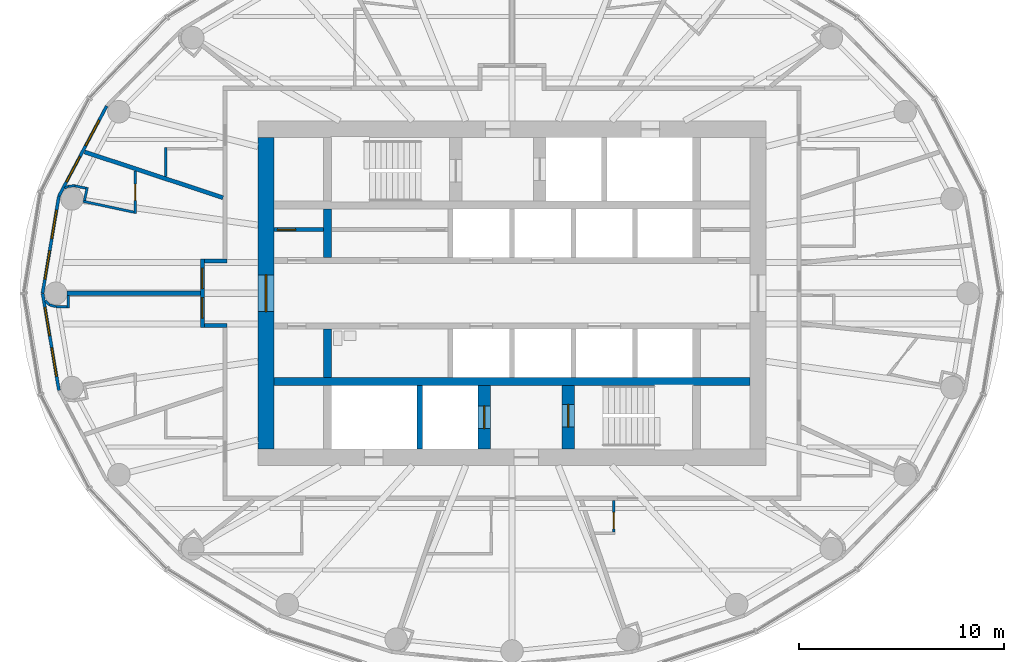
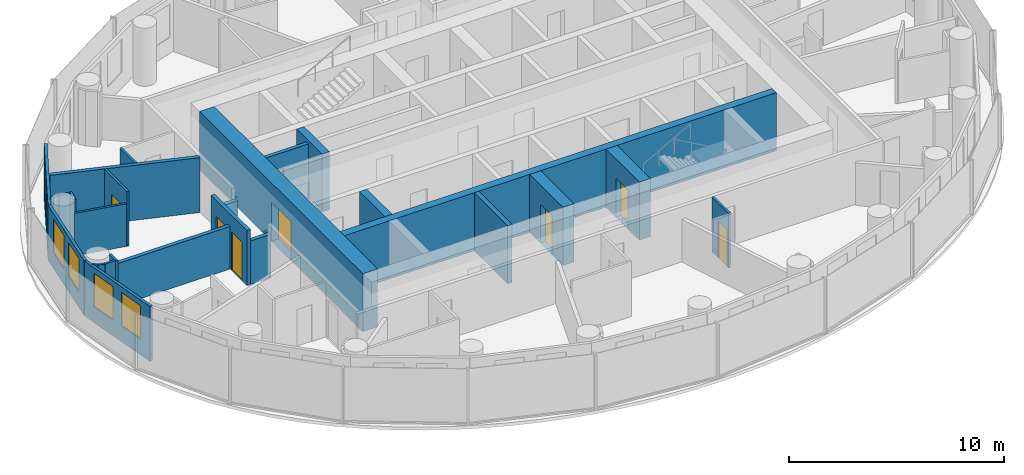
# One storey, part 8 of 16: 28 walls, 8 doors, 6 windows, 14 openings.
"""IFC4 building model written with IfcOpenShell, lengths in metres."""

from ifc_helpers import new_model, si_unit, direction, frame, frame_2d, origin, place, context, subcontext, project, spatial, rectangle, extrude, material, layer, layer_set, type_object, element, fill, save


model = new_model("IFC4")

# Units and contexts
model_context = context("Model", 3, precision=1e-05, world=origin(), true_north=direction((0.0, 1.0)))
body_context = subcontext(model_context, "Body", "Model", "MODEL_VIEW")
ifc_project = project(units=[si_unit("LENGTHUNIT", "METRE"), si_unit("AREAUNIT", "SQUARE_METRE"), si_unit("VOLUMEUNIT", "CUBIC_METRE"), si_unit("PLANEANGLEUNIT", "RADIAN"), si_unit("MASSUNIT", "GRAM", prefix="KILO")], contexts=[model_context])

# Site, building, storey
site_placement = place(None, origin())
site = spatial("IfcSite", under=ifc_project, at=site_placement, CompositionType="ELEMENT")
building_placement = place(site_placement, origin())
building = spatial("IfcBuilding", under=site, at=building_placement, Name="Hankou Lantern Tower", CompositionType="ELEMENT")
storey_placement = place(building_placement, frame((0.0, 0.0, 166.5)))
storey = spatial("IfcBuildingStorey", under=building, at=storey_placement, Name="L44", CompositionType="ELEMENT", Elevation=166.5)

# Wall, opening, door
ifc_material_1 = material(Name="Concrete C60", Category="concrete")
ifc_layer_1 = layer(ifc_material_1, 0.800048828125)
ifc_layer_set_1 = layer_set([ifc_layer_1], Name="Concrete C60")
wall_type_1 = type_object("IfcWallType", Name="CW2 CORE WALL 800", PredefinedType="SHEAR", material=ifc_layer_set_1)
wall_1_placement = place(storey_placement, frame((-12.0, 7.60009765625, 0.0), z_axis=(0.0, 0.0, 1.0), x_axis=(0.0, -1.0, 0.0)))
wall_1 = element("IfcWall", 1, at=wall_1_placement, inside=storey, type_object=wall_type_1, Name="Core wall west L44", PredefinedType="SHEAR", context=body_context, shape_type="SweptSolid", body=[
    extrude(rectangle(XDim=15.2001953125, YDim=0.800048828125, at=frame_2d((7.60009765625, 0.0))), origin(), (0.0, 0.0, 1.0), 3.300048828125),
])
opening_1_placement = place(wall_1_placement, frame((6.699951171875, 0.0, 0.0)))
opening_1 = element("IfcOpeningElement", 2, at=opening_1_placement, cuts=wall_1, Name="Opening D6", PredefinedType="OPENING", context=body_context, shape_type="SweptSolid", body=[
    extrude(rectangle(XDim=1.800048828125, YDim=2.199951171875, at=frame_2d((0.89990234375, 1.10009765625))), frame((0.0, 0.409912109375, 0.0), z_axis=(0.0, -1.0, 0.0), x_axis=(1.0, 0.0, 0.0)), (0.0, 0.0, 1.0), 0.820068359375),
])
ifc_material_2 = material(Name="Steel door leaf", Category="steel")
door_type_1 = type_object("IfcDoorType", Name="D6 LIFT LOBBY DOOR 1800X2200", OperationType="DOUBLE_DOOR_DOUBLE_SWING", PredefinedType="DOOR", material=ifc_material_2)
door_1_placement = place(opening_1_placement, origin())
door_1 = element("IfcDoor", 3, at=door_1_placement, inside=storey, type_object=door_type_1, Name="Lift lobby west door", OperationType="DOUBLE_DOOR_DOUBLE_SWING", OverallHeight=2.199951171875, OverallWidth=1.800048828125, PredefinedType="DOOR", context=body_context, shape_type="SweptSolid", body=[
    extrude(rectangle(XDim=1.800048828125, YDim=2.199951171875, at=frame_2d((0.89990234375, 1.10009765625))), frame((0.0, 0.02490234375, 0.0), z_axis=(0.0, -1.0, 0.0), x_axis=(1.0, 0.0, 0.0)), (0.0, 0.0, 1.0), 0.050048828125),
])
fill(opening_1, door_1)

# Walls
ifc_material_3 = material(Name="Concrete C60", Category="concrete")
ifc_layer_2 = layer(ifc_material_3, 0.39990234375)
ifc_layer_set_2 = layer_set([ifc_layer_2], Name="Concrete C60")
wall_type_2 = type_object("IfcWallType", Name="CW4 CORE CROSS WALL 400", PredefinedType="SHEAR", material=ifc_layer_set_2)
wall_2_placement = place(storey_placement, frame((-11.60009765625, -4.300048828125, 0.0), z_axis=(0.0, 0.0, 1.0), x_axis=(1.0, 0.0, 0.0)))
element("IfcWall", 4, at=wall_2_placement, inside=storey, type_object=wall_type_2, Name="Core band wall south L44", PredefinedType="SHEAR", context=body_context, shape_type="SweptSolid", body=[
    extrude(rectangle(XDim=23.2001953125, YDim=0.39990234375, at=frame_2d((11.60009765625, 0.0))), origin(), (0.0, 0.0, 1.0), 3.300048828125),
])
for number, where, z_axis, x_axis, name in (
    (5, (-9.0, 1.75, 0.0), (0.0, 0.0, 1.0), (0.0, 1.0, 0.0), "Core strip wall L44"),
    (6, (-9.0, -4.10009765625, 0.0), (0.0, 0.0, 1.0), (0.0, 1.0, 0.0), "Core strip wall L44"),
):
    element("IfcWall", number, at=place(storey_placement, frame(where, z_axis=z_axis, x_axis=x_axis)), inside=storey, type_object=wall_type_2, Name=name, PredefinedType="SHEAR", context=body_context, shape_type="SweptSolid", body=[
        extrude(rectangle(XDim=2.35009765625, YDim=0.39990234375, at=frame_2d((1.175048828125, 0.0))), origin(), (0.0, 0.0, 1.0), 3.300048828125),
    ])

# Wall, opening, door
ifc_material_4 = material(Name="Concrete C60", Category="concrete")
ifc_layer_3 = layer(ifc_material_4, 0.60009765625)
ifc_layer_set_3 = layer_set([ifc_layer_3], Name="Concrete C60")
wall_type_3 = type_object("IfcWallType", Name="CW6 STAIR AND SHAFT WALL 600", PredefinedType="SHEAR", material=ifc_layer_set_3)
wall_3_placement = place(storey_placement, frame((2.75, -7.60009765625, 0.0), z_axis=(0.0, 0.0, 1.0), x_axis=(0.0, 1.0, 0.0)))
wall_3 = element("IfcWall", 7, at=wall_3_placement, inside=storey, type_object=wall_type_3, Name="Stair wall L44", PredefinedType="SHEAR", context=body_context, shape_type="SweptSolid", body=[
    extrude(rectangle(XDim=3.10009765625, YDim=0.60009765625, at=frame_2d((1.550048828125, 0.0))), origin(), (0.0, 0.0, 1.0), 3.300048828125),
])
opening_2_placement = place(wall_3_placement, frame((1.074951171875, 0.0, 0.0)))
opening_2 = element("IfcOpeningElement", 8, at=opening_2_placement, cuts=wall_3, Name="Opening D4", PredefinedType="OPENING", context=body_context, shape_type="SweptSolid", body=[
    extrude(rectangle(XDim=1.10009765625, YDim=2.199951171875, at=frame_2d((0.550048828125, 1.10009765625))), frame((0.0, 0.31005859375, 0.0), z_axis=(0.0, -1.0, 0.0), x_axis=(1.0, 0.0, 0.0)), (0.0, 0.0, 1.0), 0.6201171875),
])
ifc_material_5 = material(Name="Steel door leaf", Category="steel")
door_type_2 = type_object("IfcDoorType", Name="D4 STAIR DOOR 1100X2200", OperationType="SINGLE_SWING_LEFT", PredefinedType="DOOR", material=ifc_material_5)
door_2_placement = place(opening_2_placement, origin())
door_2 = element("IfcDoor", 9, at=door_2_placement, inside=storey, type_object=door_type_2, Name="Stair B door", OperationType="SINGLE_SWING_RIGHT", OverallHeight=2.199951171875, OverallWidth=1.10009765625, PredefinedType="DOOR", context=body_context, shape_type="SweptSolid", body=[
    extrude(rectangle(XDim=1.10009765625, YDim=2.199951171875, at=frame_2d((0.550048828125, 1.10009765625))), frame((0.0, 0.02490234375, 0.0), z_axis=(0.0, -1.0, 0.0), x_axis=(1.0, 0.0, 0.0)), (0.0, 0.0, 1.0), 0.050048828125),
])
fill(opening_2, door_2)

wall_4_placement = place(storey_placement, frame((-1.35009765625, -7.60009765625, 0.0), z_axis=(0.0, 0.0, 1.0), x_axis=(0.0, 1.0, 0.0)))
wall_4 = element("IfcWall", 10, at=wall_4_placement, inside=storey, type_object=wall_type_3, Name="Firefighting lift shaft wall L44", PredefinedType="SHEAR", context=body_context, shape_type="SweptSolid", body=[
    extrude(rectangle(XDim=3.10009765625, YDim=0.60009765625, at=frame_2d((1.550048828125, 0.0))), origin(), (0.0, 0.0, 1.0), 3.300048828125),
])
opening_3_placement = place(wall_4_placement, frame((1.0, 0.0, 0.0)))
opening_3 = element("IfcOpeningElement", 11, at=opening_3_placement, cuts=wall_4, Name="Opening LD2", PredefinedType="OPENING", context=body_context, shape_type="SweptSolid", body=[
    extrude(rectangle(XDim=1.10009765625, YDim=2.199951171875, at=frame_2d((0.550048828125, 1.10009765625))), frame((0.0, 0.31005859375, 0.0), z_axis=(0.0, -1.0, 0.0), x_axis=(1.0, 0.0, 0.0)), (0.0, 0.0, 1.0), 0.6201171875),
])
ifc_material_6 = material(Name="Steel door leaf", Category="steel")
door_type_3 = type_object("IfcDoorType", Name="LD2 FIREFIGHTING LIFT LANDING DOOR 1100X2200", OperationType="DOUBLE_DOOR_SLIDING", PredefinedType="DOOR", material=ifc_material_6)
door_3_placement = place(opening_3_placement, origin())
door_3 = element("IfcDoor", 12, at=door_3_placement, inside=storey, type_object=door_type_3, Name="Firefighting lift FL2 landing door", OperationType="DOUBLE_DOOR_SLIDING", OverallHeight=2.199951171875, OverallWidth=1.10009765625, PredefinedType="DOOR", context=body_context, shape_type="SweptSolid", body=[
    extrude(rectangle(XDim=1.10009765625, YDim=2.199951171875, at=frame_2d((0.550048828125, 1.10009765625))), frame((0.0, 0.02490234375, 0.0), z_axis=(0.0, -1.0, 0.0), x_axis=(1.0, 0.0, 0.0)), (0.0, 0.0, 1.0), 0.050048828125),
])
fill(opening_3, door_3)

# Wall, openings, windows
ifc_material_7 = material(Name="Aluminium spandrel panel on steel studs", Category="steel")
ifc_layer_4 = layer(ifc_material_7, 0.14990234375)
ifc_layer_set_4 = layer_set([ifc_layer_4], Name="Aluminium spandrel panel on steel studs")
wall_type_4 = type_object("IfcWallType", Name="EW1 INNER SKIN WALL 150", PredefinedType="ELEMENTEDWALL", material=ifc_layer_set_4)
wall_5_placement = place(storey_placement, frame((-19.771728515625, 9.132080078125, 0.0), z_axis=(0.0, 0.0, 1.0), x_axis=(-0.468428906714, -0.883501193748, 0.0)))
wall_5 = element("IfcWall", 13, at=wall_5_placement, inside=storey, type_object=wall_type_4, Name="Inner skin R11-R12 L44", PredefinedType="ELEMENTEDWALL", context=body_context, shape_type="SweptSolid", body=[
    extrude(rectangle(XDim=4.9736328125, YDim=0.14990234375, at=frame_2d((2.48681640625, 0.0))), origin(), (0.0, 0.0, 1.0), 3.1201171875),
])
opening_4_placement = place(wall_5_placement, frame((0.786865234375, 0.0, 0.89990234375)))
opening_4 = element("IfcOpeningElement", 14, at=opening_4_placement, cuts=wall_5, Name="Opening W3", PredefinedType="OPENING", context=body_context, shape_type="SweptSolid", body=[
    extrude(rectangle(XDim=1.39990234375, YDim=1.89990234375, at=frame_2d((0.699951171875, 0.949951171875))), frame((0.0, 0.0849609375, 0.0), z_axis=(0.0, -1.0, 0.0), x_axis=(1.0, 0.0, 0.0)), (0.0, 0.0, 1.0), 0.169921875),
])
opening_5_placement = place(wall_5_placement, frame((2.786865234375, 0.0, 0.89990234375)))
opening_5 = element("IfcOpeningElement", 15, at=opening_5_placement, cuts=wall_5, Name="Opening W3", PredefinedType="OPENING", context=body_context, shape_type="SweptSolid", body=[
    extrude(rectangle(XDim=1.39990234375, YDim=1.89990234375, at=frame_2d((0.699951171875, 0.949951171875))), frame((0.0, 0.0849609375, 0.0), z_axis=(0.0, -1.0, 0.0), x_axis=(1.0, 0.0, 0.0)), (0.0, 0.0, 1.0), 0.169921875),
])
ifc_material_8 = material(Name="Aluminium framed double glazed window", Category="aluminium")
window_type = type_object("IfcWindowType", Name="W3 GUEST ROOM WINDOW 1400X1900", PartitioningType="DOUBLE_PANEL_VERTICAL", PredefinedType="WINDOW", material=ifc_material_8)
window_1_placement = place(opening_4_placement, origin())
window_1 = element("IfcWindow", 16, at=window_1_placement, inside=storey, type_object=window_type, Name="Window R11.1 L44", OverallHeight=1.89990234375, OverallWidth=1.39990234375, PartitioningType="SINGLE_PANEL", PredefinedType="WINDOW", context=body_context, shape_type="SweptSolid", body=[
    extrude(rectangle(XDim=1.39990234375, YDim=1.89990234375, at=frame_2d((0.699951171875, 0.949951171875))), frame((0.0, 0.030029296875, 0.0), z_axis=(0.0, -1.0, 0.0), x_axis=(1.0, 0.0, 0.0)), (0.0, 0.0, 1.0), 0.06005859375),
])
fill(opening_4, window_1)
window_2_placement = place(opening_5_placement, origin())
window_2 = element("IfcWindow", 17, at=window_2_placement, inside=storey, type_object=window_type, Name="Window R11.2 L44", OverallHeight=1.89990234375, OverallWidth=1.39990234375, PartitioningType="SINGLE_PANEL", PredefinedType="WINDOW", context=body_context, shape_type="SweptSolid", body=[
    extrude(rectangle(XDim=1.39990234375, YDim=1.89990234375, at=frame_2d((0.699951171875, 0.949951171875))), frame((0.0, 0.030029296875, 0.0), z_axis=(0.0, -1.0, 0.0), x_axis=(1.0, 0.0, 0.0)), (0.0, 0.0, 1.0), 0.06005859375),
])
fill(opening_5, window_2)

wall_6_placement = place(storey_placement, frame((-22.1015625, 4.73779296875, 0.0), z_axis=(0.0, 0.0, 1.0), x_axis=(-0.166162111254, -0.986098449843, 0.0)))
wall_6 = element("IfcWall", 18, at=wall_6_placement, inside=storey, type_object=wall_type_4, Name="Inner skin R12-R13 L44", PredefinedType="ELEMENTEDWALL", context=body_context, shape_type="SweptSolid", body=[
    extrude(rectangle(XDim=4.8046875, YDim=0.14990234375, at=frame_2d((2.40234375, 0.0))), origin(), (0.0, 0.0, 1.0), 3.1201171875),
])
opening_6_placement = place(wall_6_placement, frame((0.7021484375, 0.0, 0.89990234375)))
opening_6 = element("IfcOpeningElement", 19, at=opening_6_placement, cuts=wall_6, Name="Opening W3", PredefinedType="OPENING", context=body_context, shape_type="SweptSolid", body=[
    extrude(rectangle(XDim=1.39990234375, YDim=1.89990234375, at=frame_2d((0.699951171875, 0.949951171875))), frame((0.0, 0.0849609375, 0.0), z_axis=(0.0, -1.0, 0.0), x_axis=(1.0, 0.0, 0.0)), (0.0, 0.0, 1.0), 0.169921875),
])
opening_7_placement = place(wall_6_placement, frame((2.7021484375, 0.0, 0.89990234375)))
opening_7 = element("IfcOpeningElement", 20, at=opening_7_placement, cuts=wall_6, Name="Opening W3", PredefinedType="OPENING", context=body_context, shape_type="SweptSolid", body=[
    extrude(rectangle(XDim=1.39990234375, YDim=1.89990234375, at=frame_2d((0.699951171875, 0.949951171875))), frame((0.0, 0.0849609375, 0.0), z_axis=(0.0, -1.0, 0.0), x_axis=(1.0, 0.0, 0.0)), (0.0, 0.0, 1.0), 0.169921875),
])
window_3_placement = place(opening_6_placement, origin())
window_3 = element("IfcWindow", 21, at=window_3_placement, inside=storey, type_object=window_type, Name="Window R12.1 L44", OverallHeight=1.89990234375, OverallWidth=1.39990234375, PartitioningType="SINGLE_PANEL", PredefinedType="WINDOW", context=body_context, shape_type="SweptSolid", body=[
    extrude(rectangle(XDim=1.39990234375, YDim=1.89990234375, at=frame_2d((0.699951171875, 0.949951171875))), frame((0.0, 0.030029296875, 0.0), z_axis=(0.0, -1.0, 0.0), x_axis=(1.0, 0.0, 0.0)), (0.0, 0.0, 1.0), 0.06005859375),
])
fill(opening_6, window_3)
window_4_placement = place(opening_7_placement, origin())
window_4 = element("IfcWindow", 22, at=window_4_placement, inside=storey, type_object=window_type, Name="Window R12.2 L44", OverallHeight=1.89990234375, OverallWidth=1.39990234375, PartitioningType="SINGLE_PANEL", PredefinedType="WINDOW", context=body_context, shape_type="SweptSolid", body=[
    extrude(rectangle(XDim=1.39990234375, YDim=1.89990234375, at=frame_2d((0.699951171875, 0.949951171875))), frame((0.0, 0.030029296875, 0.0), z_axis=(0.0, -1.0, 0.0), x_axis=(1.0, 0.0, 0.0)), (0.0, 0.0, 1.0), 0.06005859375),
])
fill(opening_7, window_4)

wall_7_placement = place(storey_placement, frame((-22.89990234375, 0.0, 0.0), z_axis=(0.0, 0.0, 1.0), x_axis=(0.166162111254, -0.986098449843, 0.0)))
wall_7 = element("IfcWall", 23, at=wall_7_placement, inside=storey, type_object=wall_type_4, Name="Inner skin R13-R14 L44", PredefinedType="ELEMENTEDWALL", context=body_context, shape_type="SweptSolid", body=[
    extrude(rectangle(XDim=4.8046875, YDim=0.14990234375, at=frame_2d((2.40234375, 0.0))), origin(), (0.0, 0.0, 1.0), 3.1201171875),
])
opening_8_placement = place(wall_7_placement, frame((0.7021484375, 0.0, 0.89990234375)))
opening_8 = element("IfcOpeningElement", 24, at=opening_8_placement, cuts=wall_7, Name="Opening W3", PredefinedType="OPENING", context=body_context, shape_type="SweptSolid", body=[
    extrude(rectangle(XDim=1.39990234375, YDim=1.89990234375, at=frame_2d((0.699951171875, 0.949951171875))), frame((0.0, 0.0849609375, 0.0), z_axis=(0.0, -1.0, 0.0), x_axis=(1.0, 0.0, 0.0)), (0.0, 0.0, 1.0), 0.169921875),
])
opening_9_placement = place(wall_7_placement, frame((2.7021484375, 0.0, 0.89990234375)))
opening_9 = element("IfcOpeningElement", 25, at=opening_9_placement, cuts=wall_7, Name="Opening W3", PredefinedType="OPENING", context=body_context, shape_type="SweptSolid", body=[
    extrude(rectangle(XDim=1.39990234375, YDim=1.89990234375, at=frame_2d((0.699951171875, 0.949951171875))), frame((0.0, 0.0849609375, 0.0), z_axis=(0.0, -1.0, 0.0), x_axis=(1.0, 0.0, 0.0)), (0.0, 0.0, 1.0), 0.169921875),
])
window_5_placement = place(opening_8_placement, origin())
window_5 = element("IfcWindow", 26, at=window_5_placement, inside=storey, type_object=window_type, Name="Window R13.1 L44", OverallHeight=1.89990234375, OverallWidth=1.39990234375, PartitioningType="SINGLE_PANEL", PredefinedType="WINDOW", context=body_context, shape_type="SweptSolid", body=[
    extrude(rectangle(XDim=1.39990234375, YDim=1.89990234375, at=frame_2d((0.699951171875, 0.949951171875))), frame((0.0, 0.030029296875, 0.0), z_axis=(0.0, -1.0, 0.0), x_axis=(1.0, 0.0, 0.0)), (0.0, 0.0, 1.0), 0.06005859375),
])
fill(opening_8, window_5)
window_6_placement = place(opening_9_placement, origin())
window_6 = element("IfcWindow", 27, at=window_6_placement, inside=storey, type_object=window_type, Name="Window R13.2 L44", OverallHeight=1.89990234375, OverallWidth=1.39990234375, PartitioningType="SINGLE_PANEL", PredefinedType="WINDOW", context=body_context, shape_type="SweptSolid", body=[
    extrude(rectangle(XDim=1.39990234375, YDim=1.89990234375, at=frame_2d((0.699951171875, 0.949951171875))), frame((0.0, 0.030029296875, 0.0), z_axis=(0.0, -1.0, 0.0), x_axis=(1.0, 0.0, 0.0)), (0.0, 0.0, 1.0), 0.06005859375),
])
fill(opening_9, window_6)

# Walls
ifc_material_9 = material(Name="Masonry lightweight concrete block", Category="masonry")
ifc_layer_5 = layer(ifc_material_9, 0.199951171875)
ifc_layer_set_5 = layer_set([ifc_layer_5], Name="Masonry lightweight concrete block")
wall_type_5 = type_object("IfcWallType", Name="IW1 GUEST ROOM PARTY WALL 200", PredefinedType="PARTITIONING", material=ifc_layer_set_5)
wall_8_placement = place(storey_placement, frame((-14.10009765625, 4.661376953125, 0.0), z_axis=(0.0, 0.0, 1.0), x_axis=(-0.949453216399, 0.313908569285, 0.0)))
element("IfcWall", 28, at=wall_8_placement, inside=storey, type_object=wall_type_5, Name="Party wall R11-R12", PredefinedType="PARTITIONING", context=body_context, shape_type="SweptSolid", body=[
    extrude(rectangle(XDim=7.108642578125, YDim=0.199951171875, at=frame_2d((3.55419921875, 0.0))), origin(), (0.0, 0.0, 1.0), 3.1201171875),
])
wall_9_placement = place(storey_placement, frame((-15.199951171875, 0.0, 0.0), z_axis=(0.0, 0.0, 1.0), x_axis=(-1.0, 0.0, 0.0)))
element("IfcWall", 29, at=wall_9_placement, inside=storey, type_object=wall_type_5, Name="Party wall R13", PredefinedType="PARTITIONING", context=body_context, shape_type="SweptSolid", body=[
    extrude(rectangle(XDim=6.5, YDim=0.199951171875, at=frame_2d((3.25, 0.0))), origin(), (0.0, 0.0, 1.0), 2.419921875),
])

# Wall, openings, doors
ifc_material_10 = material(Name="Masonry lightweight concrete block", Category="masonry")
ifc_layer_6 = layer(ifc_material_10, 0.199951171875)
ifc_layer_set_6 = layer_set([ifc_layer_6], Name="Masonry lightweight concrete block")
wall_type_6 = type_object("IfcWallType", Name="IW2 CORRIDOR WALL 200", PredefinedType="PARTITIONING", material=ifc_layer_set_6)
wall_10_placement = place(storey_placement, frame((-15.10009765625, 1.669921875, 0.0), z_axis=(0.0, 0.0, 1.0), x_axis=(0.0, -1.0, 0.0)))
wall_10 = element("IfcWall", 30, at=wall_10_placement, inside=storey, type_object=wall_type_6, Name="Corridor alcove wall 4412-4413 back", PredefinedType="PARTITIONING", context=body_context, shape_type="SweptSolid", body=[
    extrude(rectangle(XDim=3.33984375, YDim=0.199951171875, at=frame_2d((1.669921875, 0.0))), origin(), (0.0, 0.0, 1.0), 3.1201171875),
])
opening_10_placement = place(wall_10_placement, frame((0.449951171875, 0.0, 0.0)))
opening_10 = element("IfcOpeningElement", 31, at=opening_10_placement, cuts=wall_10, Name="Opening D1", PredefinedType="OPENING", context=body_context, shape_type="SweptSolid", body=[
    extrude(rectangle(XDim=1.0, YDim=2.199951171875, at=frame_2d((0.5, 1.10009765625))), frame((0.0, 0.10986328125, 0.0), z_axis=(0.0, -1.0, 0.0), x_axis=(1.0, 0.0, 0.0)), (0.0, 0.0, 1.0), 0.219970703125),
])
opening_11_placement = place(wall_10_placement, frame((1.889892578125, 0.0, 0.0)))
opening_11 = element("IfcOpeningElement", 32, at=opening_11_placement, cuts=wall_10, Name="Opening D1", PredefinedType="OPENING", context=body_context, shape_type="SweptSolid", body=[
    extrude(rectangle(XDim=1.0, YDim=2.199951171875, at=frame_2d((0.5, 1.10009765625))), frame((0.0, 0.10986328125, 0.0), z_axis=(0.0, -1.0, 0.0), x_axis=(1.0, 0.0, 0.0)), (0.0, 0.0, 1.0), 0.219970703125),
])
ifc_material_11 = material(Name="Steel door leaf", Category="steel")
door_type_4 = type_object("IfcDoorType", Name="D1 GUEST ROOM DOOR 1000X2200", OperationType="SINGLE_SWING_LEFT", PredefinedType="DOOR", material=ifc_material_11)
door_4_placement = place(opening_10_placement, origin())
door_4 = element("IfcDoor", 33, at=door_4_placement, inside=storey, type_object=door_type_4, Name="Guest room door 4412", OperationType="SINGLE_SWING_LEFT", OverallHeight=2.199951171875, OverallWidth=1.0, PredefinedType="DOOR", context=body_context, shape_type="SweptSolid", body=[
    extrude(rectangle(XDim=1.0, YDim=2.199951171875, at=frame_2d((0.5, 1.10009765625))), frame((0.0, 0.02490234375, 0.0), z_axis=(0.0, -1.0, 0.0), x_axis=(1.0, 0.0, 0.0)), (0.0, 0.0, 1.0), 0.050048828125),
])
fill(opening_10, door_4)
door_5_placement = place(opening_11_placement, origin())
door_5 = element("IfcDoor", 34, at=door_5_placement, inside=storey, type_object=door_type_4, Name="Guest room door 4413", OperationType="SINGLE_SWING_RIGHT", OverallHeight=2.199951171875, OverallWidth=1.0, PredefinedType="DOOR", context=body_context, shape_type="SweptSolid", body=[
    extrude(rectangle(XDim=1.0, YDim=2.199951171875, at=frame_2d((0.5, 1.10009765625))), frame((0.0, 0.02490234375, 0.0), z_axis=(0.0, -1.0, 0.0), x_axis=(1.0, 0.0, 0.0)), (0.0, 0.0, 1.0), 0.050048828125),
])
fill(opening_11, door_5)

# Walls
for number, where, z_axis, x_axis, name in (
    (35, (-13.89990234375, 1.570068359375, 0.0), (0.0, 0.0, 1.0), (-1.0, 0.0, 0.0), "Corridor alcove wall 4412-4413 left"),
    (36, (-13.89990234375, -1.570068359375, 0.0), (0.0, 0.0, 1.0), (-1.0, 0.0, 0.0), "Corridor alcove wall 4412-4413 right"),
):
    element("IfcWall", number, at=place(storey_placement, frame(where, z_axis=z_axis, x_axis=x_axis)), inside=storey, type_object=wall_type_6, Name=name, PredefinedType="PARTITIONING", context=body_context, shape_type="SweptSolid", body=[
        extrude(rectangle(XDim=1.10009765625, YDim=0.199951171875, at=frame_2d((0.550048828125, 0.0))), origin(), (0.0, 0.0, 1.0), 2.469970703125),
    ])

# Wall, opening, door
ifc_material_12 = material(Name="Masonry lightweight concrete block", Category="masonry")
ifc_layer_7 = layer(ifc_material_12, 0.1201171875)
ifc_layer_set_7 = layer_set([ifc_layer_7], Name="Masonry lightweight concrete block")
wall_type_7 = type_object("IfcWallType", Name="IW3 BATHROOM WALL 120", PredefinedType="PARTITIONING", material=ifc_layer_set_7)
wall_11_placement = place(storey_placement, frame((4.962890625, -10.10009765625, 0.0), z_axis=(0.0, 0.0, 1.0), x_axis=(0.0, -1.0, 0.0)))
wall_11 = element("IfcWall", 37, at=wall_11_placement, inside=storey, type_object=wall_type_7, Name="Box wall 4403C 1", PredefinedType="PARTITIONING", context=body_context, shape_type="SweptSolid", body=[
    extrude(rectangle(XDim=1.539794921875, YDim=0.1201171875, at=frame_2d((0.77001953125, 0.0))), origin(), (0.0, 0.0, 1.0), 3.1201171875),
])
opening_12_placement = place(wall_11_placement, frame((0.590087890625, 0.0, 0.0)))
opening_12 = element("IfcOpeningElement", 38, at=opening_12_placement, cuts=wall_11, Name="Opening D3", PredefinedType="OPENING", context=body_context, shape_type="SweptSolid", body=[
    extrude(rectangle(XDim=0.800048828125, YDim=2.10009765625, at=frame_2d((0.39990234375, 1.050048828125))), frame((0.0, 0.070068359375, 0.0), z_axis=(0.0, -1.0, 0.0), x_axis=(1.0, 0.0, 0.0)), (0.0, 0.0, 1.0), 0.14013671875),
])
ifc_material_13 = material(Name="Timber door leaf", Category="wood")
door_type_5 = type_object("IfcDoorType", Name="D3 BATHROOM DOOR 800X2100", OperationType="SINGLE_SWING_LEFT", PredefinedType="DOOR", material=ifc_material_13)
door_6_placement = place(opening_12_placement, origin())
door_6 = element("IfcDoor", 39, at=door_6_placement, inside=storey, type_object=door_type_5, Name="Corner suite 4403 guest WC door", OperationType="SINGLE_SWING_LEFT", OverallHeight=2.10009765625, OverallWidth=0.800048828125, PredefinedType="DOOR", context=body_context, shape_type="SweptSolid", body=[
    extrude(rectangle(XDim=0.800048828125, YDim=2.10009765625, at=frame_2d((0.39990234375, 1.050048828125))), frame((0.0, 0.02490234375, 0.0), z_axis=(0.0, -1.0, 0.0), x_axis=(1.0, 0.0, 0.0)), (0.0, 0.0, 1.0), 0.050048828125),
])
fill(opening_12, door_6)

# Wall
wall_12_placement = place(storey_placement, frame((-16.89990234375, 5.687255859375, 0.0), z_axis=(0.0, 0.0, 1.0), x_axis=(0.0, 1.0, 0.0)))
element("IfcWall", 40, at=wall_12_placement, inside=storey, type_object=wall_type_7, Name="Box wall 4411 1", PredefinedType="PARTITIONING", context=body_context, shape_type="SweptSolid", body=[
    extrude(rectangle(XDim=1.414306640625, YDim=0.1201171875, at=frame_2d((0.70703125, 0.0))), origin(), (0.0, 0.0, 1.0), 3.1201171875),
])

# Wall, opening, door
wall_13_placement = place(storey_placement, frame((-18.380859375, 5.971435546875, 0.0), z_axis=(0.0, 0.0, 1.0), x_axis=(-0.000934142516, -0.999999563689, 0.0)))
wall_13 = element("IfcWall", 41, at=wall_13_placement, inside=storey, type_object=wall_type_7, Name="Box wall 4412 1", PredefinedType="PARTITIONING", context=body_context, shape_type="SweptSolid", body=[
    extrude(rectangle(XDim=2.0908203125, YDim=0.1201171875, at=frame_2d((1.04541015625, 0.0))), origin(), (0.0, 0.0, 1.0), 3.1201171875),
])
opening_13_placement = place(wall_13_placement, frame((0.6455078125, 0.0, 0.0)))
opening_13 = element("IfcOpeningElement", 42, at=opening_13_placement, cuts=wall_13, Name="Opening D3", PredefinedType="OPENING", context=body_context, shape_type="SweptSolid", body=[
    extrude(rectangle(XDim=0.800048828125, YDim=2.10009765625, at=frame_2d((0.39990234375, 1.050048828125))), frame((0.0, 0.070068359375, 0.0), z_axis=(0.0, -1.0, 0.0), x_axis=(1.0, 0.0, 0.0)), (0.0, 0.0, 1.0), 0.14013671875),
])
door_7_placement = place(opening_13_placement, origin())
door_7 = element("IfcDoor", 43, at=door_7_placement, inside=storey, type_object=door_type_5, Name="En-suite bathroom 4412 door", OperationType="SINGLE_SWING_LEFT", OverallHeight=2.10009765625, OverallWidth=0.800048828125, PredefinedType="DOOR", context=body_context, shape_type="SweptSolid", body=[
    extrude(rectangle(XDim=0.800048828125, YDim=2.10009765625, at=frame_2d((0.39990234375, 1.050048828125))), frame((0.0, 0.02490234375, 0.0), z_axis=(0.0, -1.0, 0.0), x_axis=(1.0, 0.0, 0.0)), (0.0, 0.0, 1.0), 0.050048828125),
])
fill(opening_13, door_7)

# Walls
wall_14_placement = place(storey_placement, frame((-18.44140625, 3.953125, 0.0), z_axis=(0.0, 0.0, 1.0), x_axis=(-0.977801007461, 0.209535652833, 0.0)))
element("IfcWall", 44, at=wall_14_placement, inside=storey, type_object=wall_type_7, Name="Box wall 4412 2", PredefinedType="PARTITIONING", context=body_context, shape_type="SweptSolid", body=[
    extrude(rectangle(XDim=2.5400390625, YDim=0.1201171875, at=frame_2d((1.27001953125, 0.0))), origin(), (0.0, 0.0, 1.0), 2.419921875),
])
wall_15_placement = place(storey_placement, frame((-20.853759765625, 4.531494140625, 0.0), z_axis=(0.0, 0.0, 1.0), x_axis=(0.209631346779, 0.977780496046, 0.0)))
element("IfcWall", 45, at=wall_15_placement, inside=storey, type_object=wall_type_7, Name="Column casing 4412 return", PredefinedType="PARTITIONING", context=body_context, shape_type="SweptSolid", body=[
    extrude(rectangle(XDim=0.652099609375, YDim=0.1201171875, at=frame_2d((0.326171875, 0.0))), origin(), (0.0, 0.0, 1.0), 3.1201171875),
])
wall_16_placement = place(storey_placement, frame((-20.788330078125, 5.123291015625, 0.0), z_axis=(0.0, 0.0, 1.0), x_axis=(-0.977789415726, 0.209589738521, 0.0)))
element("IfcWall", 46, at=wall_16_placement, inside=storey, type_object=wall_type_7, Name="Column casing 4412", PredefinedType="PARTITIONING", context=body_context, shape_type="SweptSolid", body=[
    extrude(rectangle(XDim=0.5498046875, YDim=0.1201171875, at=frame_2d((0.27490234375, 0.0))), origin(), (0.0, 0.0, 1.0), 3.1201171875),
])
wall_17_placement = place(storey_placement, frame((-21.325927734375, 5.238525390625, 0.0), z_axis=(0.0, 0.0, 1.0), x_axis=(-0.998719689441, -0.050586380797, 0.0)))
element("IfcWall", 47, at=wall_17_placement, inside=storey, type_object=wall_type_7, Name="Column casing 4412", PredefinedType="PARTITIONING", context=body_context, shape_type="SweptSolid", body=[
    extrude(rectangle(XDim=0.337890625, YDim=0.1201171875, at=frame_2d((0.1689453125, 0.0))), origin(), (0.0, 0.0, 1.0), 3.1201171875),
])
wall_18_placement = place(storey_placement, frame((-21.663330078125, 5.221435546875, 0.0), z_axis=(0.0, 0.0, 1.0), x_axis=(-0.839279022252, -0.543700949795, 0.0)))
element("IfcWall", 48, at=wall_18_placement, inside=storey, type_object=wall_type_7, Name="Column casing 4412", PredefinedType="PARTITIONING", context=body_context, shape_type="SweptSolid", body=[
    extrude(rectangle(XDim=0.18017578125, YDim=0.1201171875, at=frame_2d((0.090087890625, 0.0))), origin(), (0.0, 0.0, 1.0), 3.1201171875),
])
ifc_material_14 = material(Name="Masonry lightweight concrete block", Category="masonry")
ifc_layer_8 = layer(ifc_material_14, 0.1201171875)
ifc_layer_set_8 = layer_set([ifc_layer_8], Name="Masonry lightweight concrete block")
wall_type_8 = type_object("IfcWallType", Name="IW4 PARTITION 120", PredefinedType="PARTITIONING", material=ifc_layer_set_8)
wall_19_placement = place(storey_placement, frame((-21.639892578125, -0.10009765625, 0.0), z_axis=(0.0, 0.0, 1.0), x_axis=(0.0, -1.0, 0.0)))
element("IfcWall", 49, at=wall_19_placement, inside=storey, type_object=wall_type_8, Name="Column casing R13 return", PredefinedType="PARTITIONING", context=body_context, shape_type="SweptSolid", body=[
    extrude(rectangle(XDim=0.612060546875, YDim=0.1201171875, at=frame_2d((0.30615234375, 0.0))), origin(), (0.0, 0.0, 1.0), 3.1201171875),
])
wall_20_placement = place(storey_placement, frame((-21.699951171875, -0.65234375, 0.0), z_axis=(0.0, 0.0, 1.0), x_axis=(-1.0, 0.0, 0.0)))
element("IfcWall", 50, at=wall_20_placement, inside=storey, type_object=wall_type_8, Name="Column casing R13", PredefinedType="PARTITIONING", context=body_context, shape_type="SweptSolid", body=[
    extrude(rectangle(XDim=0.550048828125, YDim=0.1201171875, at=frame_2d((0.27490234375, 0.0))), origin(), (0.0, 0.0, 1.0), 3.1201171875),
])
wall_21_placement = place(storey_placement, frame((-22.25, -0.65234375, 0.0), z_axis=(0.0, 0.0, 1.0), x_axis=(-0.965922233104, 0.258832454679, 0.0)))
element("IfcWall", 51, at=wall_21_placement, inside=storey, type_object=wall_type_8, Name="Column casing R13", PredefinedType="PARTITIONING", context=body_context, shape_type="SweptSolid", body=[
    extrude(rectangle(XDim=0.337646484375, YDim=0.1201171875, at=frame_2d((0.1689453125, 0.0))), origin(), (0.0, 0.0, 1.0), 3.1201171875),
])
wall_22_placement = place(storey_placement, frame((-22.576171875, -0.56494140625, 0.0), z_axis=(0.0, 0.0, 1.0), x_axis=(-0.706639272724, 0.707573980757, 0.0)))
element("IfcWall", 52, at=wall_22_placement, inside=storey, type_object=wall_type_8, Name="Column casing R13", PredefinedType="PARTITIONING", context=body_context, shape_type="SweptSolid", body=[
    extrude(rectangle(XDim=0.26123046875, YDim=0.1201171875, at=frame_2d((0.130615234375, 0.0))), origin(), (0.0, 0.0, 1.0), 3.1201171875),
])

# Wall, opening, door
ifc_material_15 = material(Name="Masonry lightweight concrete block", Category="masonry")
ifc_layer_9 = layer(ifc_material_15, 0.199951171875)
ifc_layer_set_9 = layer_set([ifc_layer_9], Name="Masonry lightweight concrete block")
wall_type_9 = type_object("IfcWallType", Name="IW8 PARTITION 200", PredefinedType="PARTITIONING", material=ifc_layer_set_9)
wall_23_placement = place(storey_placement, frame((-11.60009765625, 3.10009765625, 0.0), z_axis=(0.0, 0.0, 1.0), x_axis=(1.0, 0.0, 0.0)))
wall_23 = element("IfcWall", 53, at=wall_23_placement, inside=storey, type_object=wall_type_9, Name="Partition guest pantry and ice room", PredefinedType="PARTITIONING", context=body_context, shape_type="SweptSolid", body=[
    extrude(rectangle(XDim=2.400146484375, YDim=0.199951171875, at=frame_2d((1.2001953125, 0.0))), origin(), (0.0, 0.0, 1.0), 3.1201171875),
])
opening_14_placement = place(wall_23_placement, frame((0.14990234375, 0.0, 0.0)))
opening_14 = element("IfcOpeningElement", 54, at=opening_14_placement, cuts=wall_23, Name="Opening D12", PredefinedType="OPENING", context=body_context, shape_type="SweptSolid", body=[
    extrude(rectangle(XDim=0.89990234375, YDim=2.199951171875, at=frame_2d((0.449951171875, 1.10009765625))), frame((0.0, 0.10986328125, 0.0), z_axis=(0.0, -1.0, 0.0), x_axis=(1.0, 0.0, 0.0)), (0.0, 0.0, 1.0), 0.219970703125),
])
ifc_material_16 = material(Name="Steel door leaf", Category="steel")
door_type_6 = type_object("IfcDoorType", Name="D12 STORE DOOR 900X2200", OperationType="SINGLE_SWING_LEFT", PredefinedType="DOOR", material=ifc_material_16)
door_8_placement = place(opening_14_placement, origin())
door_8 = element("IfcDoor", 55, at=door_8_placement, inside=storey, type_object=door_type_6, Name="Ice machine cupboard door", OperationType="SINGLE_SWING_LEFT", OverallHeight=2.199951171875, OverallWidth=0.89990234375, PredefinedType="DOOR", context=body_context, shape_type="SweptSolid", body=[
    extrude(rectangle(XDim=0.89990234375, YDim=2.199951171875, at=frame_2d((0.449951171875, 1.10009765625))), frame((0.0, 0.02490234375, 0.0), z_axis=(0.0, -1.0, 0.0), x_axis=(1.0, 0.0, 0.0)), (0.0, 0.0, 1.0), 0.050048828125),
])
fill(opening_14, door_8)

# Wall
ifc_material_17 = material(Name="Masonry autoclaved aerated concrete block", Category="masonry")
ifc_layer_10 = layer(ifc_material_17, 0.25)
ifc_layer_set_10 = layer_set([ifc_layer_10], Name="Masonry autoclaved aerated concrete block")
wall_type_10 = type_object("IfcWallType", Name="SW1 SHAFT BLOCK WALL 250", PredefinedType="PARTITIONING", material=ifc_layer_set_10)
wall_24_placement = place(storey_placement, frame((-4.5, -7.60009765625, 0.0), z_axis=(0.0, 0.0, 1.0), x_axis=(0.0, 1.0, 0.0)))
element("IfcWall", 56, at=wall_24_placement, inside=storey, type_object=wall_type_10, Name="Riser wall L44", PredefinedType="PARTITIONING", context=body_context, shape_type="SweptSolid", body=[
    extrude(rectangle(XDim=3.10009765625, YDim=0.25, at=frame_2d((1.550048828125, 0.0))), origin(), (0.0, 0.0, 1.0), 3.300048828125),
])

save(model, "model.ifc")
